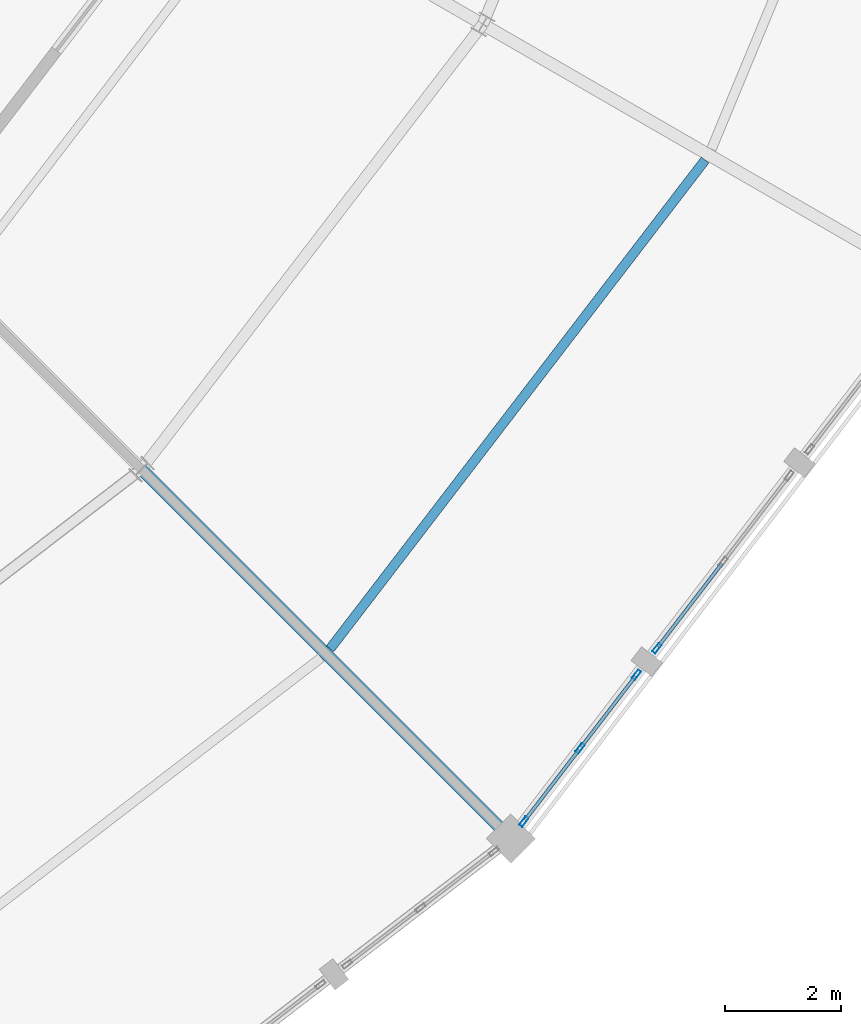
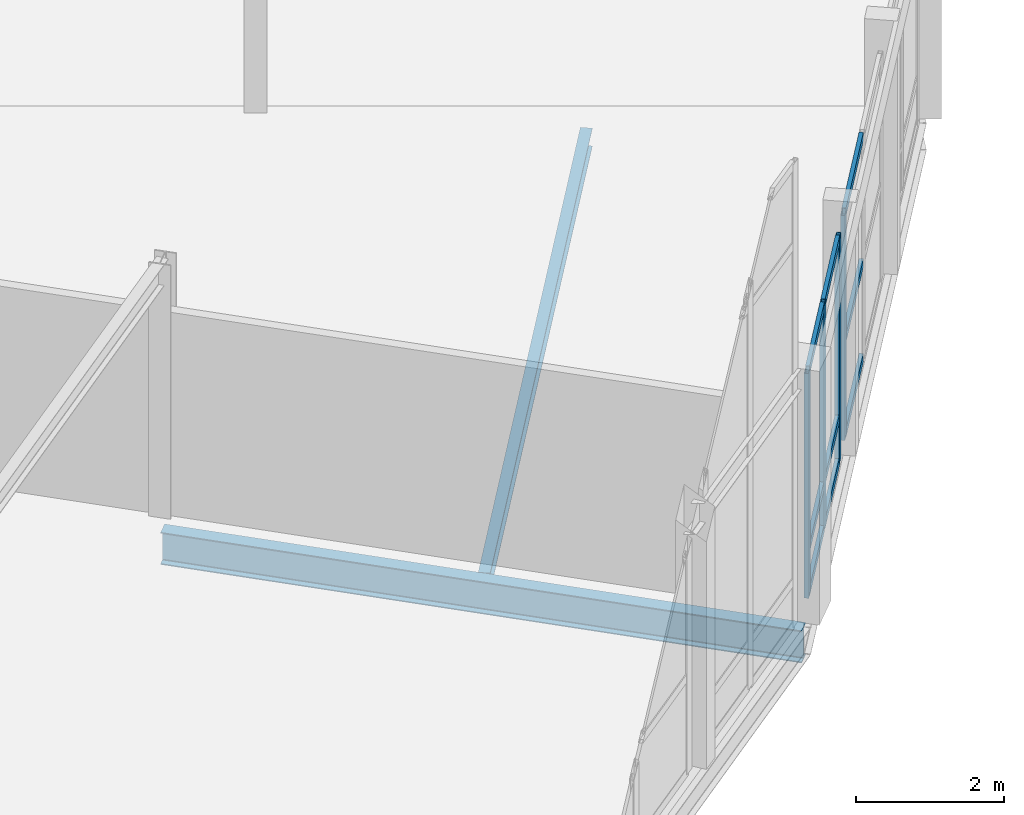
# One storey, part 94 of 170: 13 members, 2 beams, 2 elements without a shape of their own.
"""IFC4 building model written with IfcOpenShell, lengths in metres."""

from ifc_helpers import new_model, si_unit, direction, frame, origin, origin_2d, place, context, subcontext, project, spatial, hollow_rectangle, i_section, extrude, material, material_profile, profile_set, type_object, element, aggregate, save


model = new_model("IFC4")

# Units and contexts
model_context = context("Model", 3, precision=1e-05, world=origin(), true_north=direction((0.0, 1.0)))
body_context = subcontext(model_context, "Body", "Model", "MODEL_VIEW")
ifc_project = project(units=[si_unit("LENGTHUNIT", "METRE"), si_unit("AREAUNIT", "SQUARE_METRE"), si_unit("VOLUMEUNIT", "CUBIC_METRE"), si_unit("PLANEANGLEUNIT", "RADIAN"), si_unit("MASSUNIT", "GRAM", prefix="KILO")], contexts=[model_context])

# Site, building, storey
site_placement = place(None, origin())
site = spatial("IfcSite", under=ifc_project, at=site_placement, CompositionType="ELEMENT")
building_placement = place(site_placement, origin())
building = spatial("IfcBuilding", under=site, at=building_placement, Name="Vondelvale Polytechnic", CompositionType="ELEMENT")
storey_placement = place(building_placement, frame((0.0, 0.0, 5.39990234375)))
storey = spatial("IfcBuildingStorey", under=building, at=storey_placement, Name="L01", CompositionType="ELEMENT", Elevation=5.39990234375)

# Beam
ifc_material_1 = material(Name="Steel 300PLUS (fy = 300 MPa)", Category="steel")
ifc_material_profile_1 = material_profile(ifc_material_1, i_section(OverallWidth=0.208984375, OverallDepth=0.532958984375, WebThickness=0.01025390625, FlangeThickness=0.015625, FilletRadius=0.013916015625, at=origin_2d()), Name="530UB92.4")
ifc_profile_set_1 = profile_set([ifc_material_profile_1], Name="Steel 300PLUS (fy = 300 MPa)")
beam_type_1 = type_object("IfcBeamType", Name="BM-UB530", PredefinedType="BEAM", material=ifc_profile_set_1)
beam_1_placement = place(storey_placement, frame((128.1630859375, 45.8369140625, -0.54638671875), z_axis=(0.707106781187, -0.707106781187, 0.0), x_axis=(0.707106781187, 0.707106781187, 0.0)))
element("IfcBeam", 1, at=beam_1_placement, inside=storey, type_object=beam_type_1, Name="L01 RG B-11", PredefinedType="BEAM", context=body_context, shape_type="SweptSolid", body=[
    extrude(i_section(OverallWidth=0.208984375, OverallDepth=0.532958984375, WebThickness=0.01025390625, FlangeThickness=0.015625, FilletRadius=0.013916015625, at=origin_2d()), origin(), (0.0, 0.0, 1.0), 8.999755859375),
])

# Curtain wall, members
ifc_material_2 = material(Name="Glulam GL18 structural Tasmanian oak (fb = 42 MPa)", Category="wood")
curtain_wall_type = type_object("IfcCurtainWallType", Name="CW-RING-OUTER", PredefinedType="NOTDEFINED", material=ifc_material_2)
curtain_wall_1_placement = place(storey_placement, origin())
curtain_wall_1 = element("IfcCurtainWall", 2, at=curtain_wall_1_placement, inside=storey, type_object=curtain_wall_type, Name="L01 architectural curtain wall CW-04-352", PredefinedType="NOTDEFINED")
ifc_material_3 = material(Name="Anodised extruded aluminium 6063-T6", Category="aluminium")
ifc_material_profile_2 = material_profile(ifc_material_3, hollow_rectangle(XDim=0.06494140625, YDim=0.179931640625, WallThickness=0.00390625, at=origin_2d()), Name="CW-MUL-180x65")
ifc_profile_set_2 = profile_set([ifc_material_profile_2], Name="Anodised extruded aluminium 6063-T6")
member_type_1 = type_object("IfcMemberType", Name="CW-MUL-65x180", PredefinedType="MULLION", material=ifc_profile_set_2)
member_1_placement = place(storey_placement, frame((134.749267578125, 39.762939453125, 0.0), z_axis=(0.0, 0.0, 1.0), x_axis=(-0.793333825656, 0.608786860133, 0.0)))
member_1 = element("IfcMember", 3, at=member_1_placement, type_object=member_type_1, Name="CW-04-352 mullion 1", PredefinedType="MULLION", context=body_context, shape_type="SweptSolid", body=[
    extrude(hollow_rectangle(XDim=0.06494140625, YDim=0.179931640625, WallThickness=0.00390625, at=origin_2d()), origin(), (0.0, 0.0, 1.0), 3.72021484375),
])
member_2_placement = place(storey_placement, frame((135.72021484375, 41.0283203125, 0.0), z_axis=(0.0, 0.0, 1.0), x_axis=(-0.793333825656, 0.608786860133, 0.0)))
member_2 = element("IfcMember", 4, at=member_2_placement, type_object=member_type_1, Name="CW-04-352 mullion 2", PredefinedType="MULLION", context=body_context, shape_type="SweptSolid", body=[
    extrude(hollow_rectangle(XDim=0.06494140625, YDim=0.179931640625, WallThickness=0.00390625, at=origin_2d()), origin(), (0.0, 0.0, 1.0), 3.72021484375),
])
member_3_placement = place(storey_placement, frame((136.691162109375, 42.293701171875, 0.0), z_axis=(0.0, 0.0, 1.0), x_axis=(-0.793333825656, 0.608786860133, 0.0)))
member_3 = element("IfcMember", 5, at=member_3_placement, type_object=member_type_1, Name="CW-04-352 mullion 3", PredefinedType="MULLION", context=body_context, shape_type="SweptSolid", body=[
    extrude(hollow_rectangle(XDim=0.06494140625, YDim=0.179931640625, WallThickness=0.00390625, at=origin_2d()), origin(), (0.0, 0.0, 1.0), 3.72021484375),
])

# Curtain wall, member
curtain_wall_2_placement = place(storey_placement, origin())
curtain_wall_2 = element("IfcCurtainWall", 6, at=curtain_wall_2_placement, inside=storey, type_object=curtain_wall_type, Name="L01 architectural curtain wall CW-04-353", PredefinedType="NOTDEFINED")
member_4_placement = place(storey_placement, frame((137.041259765625, 42.749755859375, 0.0), z_axis=(0.0, 0.0, 1.0), x_axis=(-0.793345851043, 0.608771189063, 0.0)))
member_4 = element("IfcMember", 7, at=member_4_placement, type_object=member_type_1, Name="CW-04-353 mullion 1", PredefinedType="MULLION", context=body_context, shape_type="SweptSolid", body=[
    extrude(hollow_rectangle(XDim=0.06494140625, YDim=0.179931640625, WallThickness=0.00390625, at=origin_2d()), origin(), (0.0, 0.0, 1.0), 3.72021484375),
])

# Member
ifc_material_profile_3 = material_profile(ifc_material_3, hollow_rectangle(XDim=0.06005859375, YDim=0.139892578125, WallThickness=0.00341796875, at=origin_2d()), Name="CW-TRN-140x60")
ifc_profile_set_3 = profile_set([ifc_material_profile_3], Name="Anodised extruded aluminium 6063-T6")
member_type_2 = type_object("IfcMemberType", Name="CW-TRN-60x140", PredefinedType="USERDEFINED", material=ifc_profile_set_3)
member_5_placement = place(storey_placement, frame((134.76904296875, 39.78857421875, 0.030029296875), z_axis=(0.608746385664, 0.793364883229, 0.0), x_axis=(-0.793364883229, 0.608746385664, 0.0)))
member_5 = element("IfcMember", 8, at=member_5_placement, type_object=member_type_2, Name="CW-04-352 transom 1.1", ObjectType="TRANSOM", PredefinedType="USERDEFINED", context=body_context, shape_type="SweptSolid", body=[
    extrude(hollow_rectangle(XDim=0.06005859375, YDim=0.139892578125, WallThickness=0.00341796875, at=origin_2d()), origin(), (0.0, 0.0, 1.0), 1.530029296875),
])

member_6_placement = place(storey_placement, frame((134.76904296875, 39.78857421875, 0.75), z_axis=(0.608746385664, 0.793364883229, 0.0), x_axis=(-0.793364883229, 0.608746385664, 0.0)))
member_6 = element("IfcMember", 9, at=member_6_placement, type_object=member_type_2, Name="CW-04-352 transom 1.2", ObjectType="TRANSOM", PredefinedType="USERDEFINED", context=body_context, shape_type="SweptSolid", body=[
    extrude(hollow_rectangle(XDim=0.06005859375, YDim=0.139892578125, WallThickness=0.00341796875, at=origin_2d()), origin(), (0.0, 0.0, 1.0), 1.530029296875),
])

member_7_placement = place(storey_placement, frame((134.76904296875, 39.78857421875, 3.690185546875), z_axis=(0.608746385664, 0.793364883229, 0.0), x_axis=(-0.793364883229, 0.608746385664, 0.0)))
member_7 = element("IfcMember", 10, at=member_7_placement, type_object=member_type_2, Name="CW-04-352 transom 1.3", ObjectType="TRANSOM", PredefinedType="USERDEFINED", context=body_context, shape_type="SweptSolid", body=[
    extrude(hollow_rectangle(XDim=0.06005859375, YDim=0.139892578125, WallThickness=0.00341796875, at=origin_2d()), origin(), (0.0, 0.0, 1.0), 1.530029296875),
])

member_8_placement = place(storey_placement, frame((135.739990234375, 41.053955078125, 0.030029296875), z_axis=(0.608746385664, 0.793364883229, 0.0), x_axis=(-0.793364883229, 0.608746385664, 0.0)))
member_8 = element("IfcMember", 11, at=member_8_placement, type_object=member_type_2, Name="CW-04-352 transom 2.1", ObjectType="TRANSOM", PredefinedType="USERDEFINED", context=body_context, shape_type="SweptSolid", body=[
    extrude(hollow_rectangle(XDim=0.06005859375, YDim=0.139892578125, WallThickness=0.00341796875, at=origin_2d()), origin(), (0.0, 0.0, 1.0), 1.530029296875),
])

member_9_placement = place(storey_placement, frame((135.739990234375, 41.053955078125, 0.75), z_axis=(0.608746385664, 0.793364883229, 0.0), x_axis=(-0.793364883229, 0.608746385664, 0.0)))
member_9 = element("IfcMember", 12, at=member_9_placement, type_object=member_type_2, Name="CW-04-352 transom 2.2", ObjectType="TRANSOM", PredefinedType="USERDEFINED", context=body_context, shape_type="SweptSolid", body=[
    extrude(hollow_rectangle(XDim=0.06005859375, YDim=0.139892578125, WallThickness=0.00341796875, at=origin_2d()), origin(), (0.0, 0.0, 1.0), 1.530029296875),
])

member_10_placement = place(storey_placement, frame((135.739990234375, 41.053955078125, 3.690185546875), z_axis=(0.608746385664, 0.793364883229, 0.0), x_axis=(-0.793364883229, 0.608746385664, 0.0)))
member_10 = element("IfcMember", 13, at=member_10_placement, type_object=member_type_2, Name="CW-04-352 transom 2.3", ObjectType="TRANSOM", PredefinedType="USERDEFINED", context=body_context, shape_type="SweptSolid", body=[
    extrude(hollow_rectangle(XDim=0.06005859375, YDim=0.139892578125, WallThickness=0.00341796875, at=origin_2d()), origin(), (0.0, 0.0, 1.0), 1.530029296875),
])

aggregate(curtain_wall_1, [member_1, member_2, member_3, member_5, member_6, member_7, member_8, member_9, member_10])

member_11_placement = place(storey_placement, frame((137.06103515625, 42.775634765625, 0.030029296875), z_axis=(0.608816809849, 0.793310842007, 0.0), x_axis=(-0.793310842007, 0.608816809849, 0.0)))
member_11 = element("IfcMember", 14, at=member_11_placement, type_object=member_type_2, Name="CW-04-353 transom 1.1", ObjectType="TRANSOM", PredefinedType="USERDEFINED", context=body_context, shape_type="SweptSolid", body=[
    extrude(hollow_rectangle(XDim=0.06005859375, YDim=0.139892578125, WallThickness=0.00341796875, at=origin_2d()), origin(), (0.0, 0.0, 1.0), 1.808837890625),
])

member_12_placement = place(storey_placement, frame((137.06103515625, 42.775634765625, 1.60009765625), z_axis=(0.608816809849, 0.793310842007, 0.0), x_axis=(-0.793310842007, 0.608816809849, 0.0)))
member_12 = element("IfcMember", 15, at=member_12_placement, type_object=member_type_2, Name="CW-04-353 transom 1.2", ObjectType="TRANSOM", PredefinedType="USERDEFINED", context=body_context, shape_type="SweptSolid", body=[
    extrude(hollow_rectangle(XDim=0.06005859375, YDim=0.139892578125, WallThickness=0.00341796875, at=origin_2d()), origin(), (0.0, 0.0, 1.0), 1.808837890625),
])

member_13_placement = place(storey_placement, frame((137.06103515625, 42.775634765625, 3.690185546875), z_axis=(0.608816809849, 0.793310842007, 0.0), x_axis=(-0.793310842007, 0.608816809849, 0.0)))
member_13 = element("IfcMember", 16, at=member_13_placement, type_object=member_type_2, Name="CW-04-353 transom 1.3", ObjectType="TRANSOM", PredefinedType="USERDEFINED", context=body_context, shape_type="SweptSolid", body=[
    extrude(hollow_rectangle(XDim=0.06005859375, YDim=0.139892578125, WallThickness=0.00341796875, at=origin_2d()), origin(), (0.0, 0.0, 1.0), 1.808837890625),
])

aggregate(curtain_wall_2, [member_4, member_11, member_12, member_13])

# Beam
ifc_material_profile_4 = material_profile(ifc_material_1, i_section(OverallWidth=0.1650390625, OverallDepth=0.303955078125, WebThickness=0.006103515625, FlangeThickness=0.01025390625, FilletRadius=0.011474609375, at=origin_2d()), Name="310UB40.4")
ifc_profile_set_4 = profile_set([ifc_material_profile_4], Name="Steel 300PLUS (fy = 300 MPa)")
beam_type_2 = type_object("IfcBeamType", Name="JST-UB310", PredefinedType="JOIST", material=ifc_profile_set_4)
beam_2_placement = place(storey_placement, frame((131.411865234375, 42.742431640625, -0.431884765625), z_axis=(0.608770977523, 0.793346013368, 0.0), x_axis=(-0.793346013368, 0.608770977523, 0.0)))
element("IfcBeam", 17, at=beam_2_placement, inside=storey, type_object=beam_type_2, Name="L01 RJ J-05", PredefinedType="JOIST", context=body_context, shape_type="SweptSolid", body=[
    extrude(i_section(OverallWidth=0.1650390625, OverallDepth=0.303955078125, WebThickness=0.006103515625, FlangeThickness=0.01025390625, FilletRadius=0.011474609375, at=origin_2d()), origin(), (0.0, 0.0, 1.0), 10.613525390625),
])

save(model, "model.ifc")
